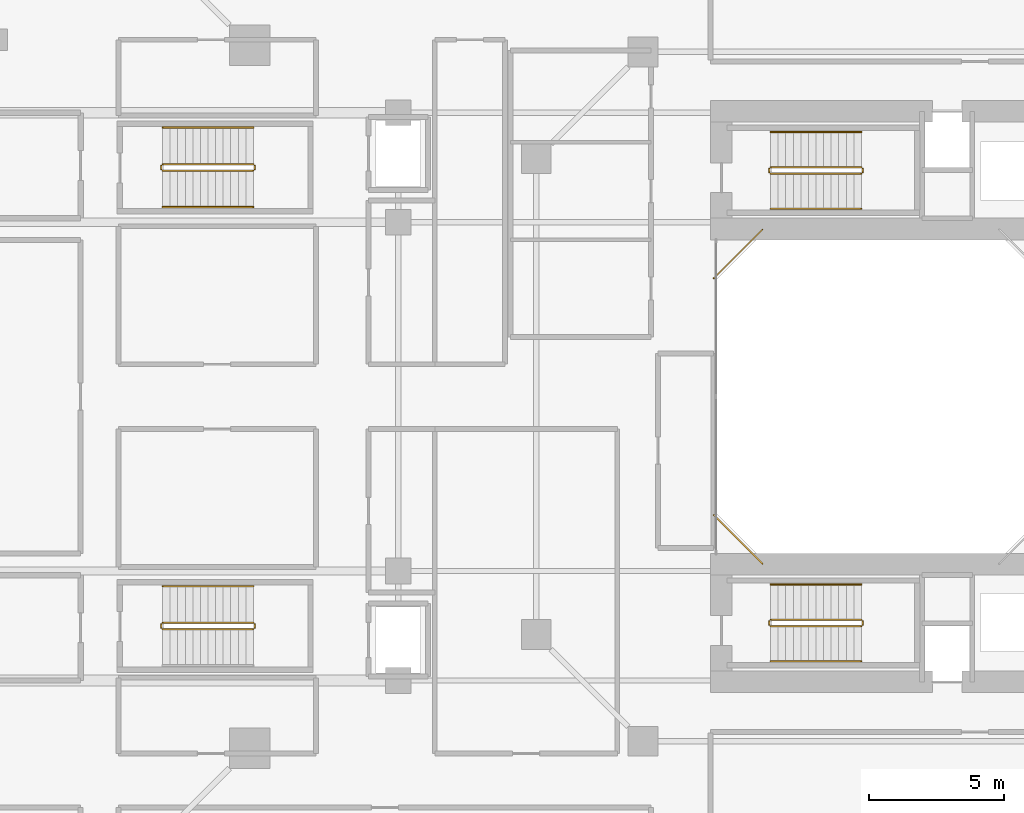
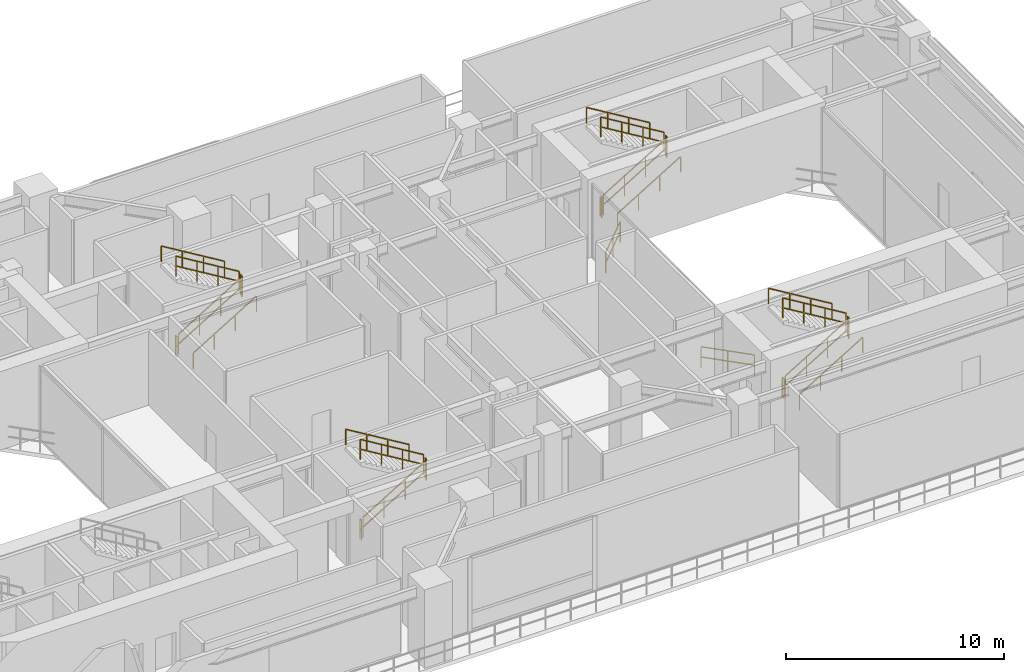
# One storey, part 19 of 20: 25 railings.
"""IFC4 building model written with IfcOpenShell, lengths in metres."""

from ifc_helpers import new_model, si_unit, direction, frame, origin, origin_2d, place, context, subcontext, project, spatial, rectangle, extrude, material, type_object, element, save


model = new_model("IFC4")

# Units and contexts
model_context = context("Model", 3, precision=1e-05, world=origin(), true_north=direction((0.0, 1.0)))
body_context = subcontext(model_context, "Body", "Model", "MODEL_VIEW")
ifc_project = project(units=[si_unit("LENGTHUNIT", "METRE"), si_unit("AREAUNIT", "SQUARE_METRE"), si_unit("VOLUMEUNIT", "CUBIC_METRE"), si_unit("PLANEANGLEUNIT", "RADIAN"), si_unit("MASSUNIT", "GRAM", prefix="KILO"), si_unit("THERMODYNAMICTEMPERATUREUNIT", "KELVIN"), si_unit("POWERUNIT", "WATT")], contexts=[model_context])

# Site, building, storey
site_placement = place(None, origin())
site = spatial("IfcSite", under=ifc_project, at=site_placement, CompositionType="ELEMENT")
building_placement = place(site_placement, origin())
building = spatial("IfcBuilding", under=site, at=building_placement, Name="Qiaomeng Ring Towers", CompositionType="ELEMENT")
storey_placement = place(building_placement, frame((0.0, 0.0, 13.800048828125)))
storey = spatial("IfcBuildingStorey", under=building, at=storey_placement, Name="L03", CompositionType="ELEMENT", Elevation=13.800048828125)

# Railings
ifc_material_1 = material(Name="Low-E pale-green laminated safety glass", Category="glass")
railing_type_1 = type_object("IfcRailingType", Name="ARC-RL-BAL1", PredefinedType="BALUSTRADE", material=ifc_material_1)
railing_1_placement = place(storey_placement, frame((56.1201171875, 29.179931640625, 0.0)))
element("IfcRailing", 1, at=railing_1_placement, inside=storey, type_object=railing_type_1, Name="L03 Balustrade ARC-BAL-WELL2-L03-3", PredefinedType="BALUSTRADE", context=body_context, shape_type="SweptSolid", body=[
    extrude(rectangle(XDim=0.048095703125, YDim=0.048095703125, at=origin_2d()), frame((0.0, 0.0, 1.17578125), z_axis=(-0.707106781187, -0.707106781187, 0.0), x_axis=(0.707106781187, -0.707106781187, 0.0)), (0.0, 0.0, 1.0), 2.545654296875),
    extrude(rectangle(XDim=0.048095703125, YDim=0.048095703125, at=origin_2d()), frame((0.0, 0.0, 0.60009765625), z_axis=(-0.707106781187, -0.707106781187, 0.0), x_axis=(0.707106781187, -0.707106781187, 0.0)), (0.0, 0.0, 1.0), 2.545654296875),
    extrude(rectangle(XDim=0.0419921875, YDim=0.0419921875, at=origin_2d()), origin(), (0.0, 0.0, 1.0), 1.15185546875),
    extrude(rectangle(XDim=0.0419921875, YDim=0.0419921875, at=origin_2d()), frame((-0.89990234375, -0.89990234375, 0.0)), (0.0, 0.0, 1.0), 1.15185546875),
    extrude(rectangle(XDim=0.0419921875, YDim=0.0419921875, at=origin_2d()), frame((-1.800048828125, -1.800048828125, 0.0)), (0.0, 0.0, 1.0), 1.15185546875),
])
railing_2_placement = place(storey_placement, frame((54.320068359375, 18.6201171875, 0.0)))
element("IfcRailing", 2, at=railing_2_placement, inside=storey, type_object=railing_type_1, Name="L03 Balustrade ARC-BAL-WELL2-L03-4", PredefinedType="BALUSTRADE", context=body_context, shape_type="SweptSolid", body=[
    extrude(rectangle(XDim=0.048095703125, YDim=0.048095703125, at=origin_2d()), frame((0.0, 0.0, 1.17578125), z_axis=(0.707106781187, -0.707106781187, 0.0), x_axis=(0.707106781187, 0.707106781187, 0.0)), (0.0, 0.0, 1.0), 2.545654296875),
    extrude(rectangle(XDim=0.048095703125, YDim=0.048095703125, at=origin_2d()), frame((0.0, 0.0, 0.60009765625), z_axis=(0.707106781187, -0.707106781187, 0.0), x_axis=(0.707106781187, 0.707106781187, 0.0)), (0.0, 0.0, 1.0), 2.545654296875),
    extrude(rectangle(XDim=0.0419921875, YDim=0.0419921875, at=origin_2d()), origin(), (0.0, 0.0, 1.0), 1.15185546875),
    extrude(rectangle(XDim=0.0419921875, YDim=0.0419921875, at=origin_2d()), frame((0.89990234375, -0.89990234375, 0.0)), (0.0, 0.0, 1.0), 1.15185546875),
    extrude(rectangle(XDim=0.0419921875, YDim=0.0419921875, at=origin_2d()), frame((1.800048828125, -1.800048828125, 0.0)), (0.0, 0.0, 1.0), 1.15185546875),
])
ifc_material_2 = material(Name="Galvanised steel", Category="steel")
railing_type_2 = type_object("IfcRailingType", Name="ARC-RL-GUARD", PredefinedType="GUARDRAIL", material=ifc_material_2)
railing_3_placement = place(storey_placement, frame((56.419921875, 31.25, 0.169189453125)))
element("IfcRailing", 3, at=railing_3_placement, inside=storey, type_object=railing_type_2, Name="L03 ST5 stair guard 1", PredefinedType="GUARDRAIL", context=body_context, shape_type="SweptSolid", body=[
    extrude(rectangle(XDim=0.048095703125, YDim=0.048095703125, at=origin_2d()), frame((0.0, 0.0, 1.1259765625), z_axis=(0.855836976705, 0.0, 0.517245656632), x_axis=(0.0, 1.0, 0.0)), (0.0, 0.0, 1.0), 3.926025390625),
    extrude(rectangle(XDim=0.048095703125, YDim=0.048095703125, at=origin_2d()), frame((0.0, 0.0, 0.574951171875), z_axis=(0.855836976705, 0.0, 0.517245656632), x_axis=(0.0, 1.0, 0.0)), (0.0, 0.0, 1.0), 3.926025390625),
    extrude(rectangle(XDim=0.0419921875, YDim=0.0419921875, at=origin_2d()), origin(), (0.0, 0.0, 1.0), 1.101806640625),
    extrude(rectangle(XDim=0.0419921875, YDim=0.0419921875, at=origin_2d()), frame((1.1201171875, 0.0, 0.677001953125)), (0.0, 0.0, 1.0), 1.101806640625),
    extrude(rectangle(XDim=0.0419921875, YDim=0.0419921875, at=origin_2d()), frame((2.239990234375, 0.0, 1.353759765625)), (0.0, 0.0, 1.0), 1.101806640625),
    extrude(rectangle(XDim=0.0419921875, YDim=0.0419921875, at=origin_2d()), frame((3.360107421875, 0.0, 2.03076171875)), (0.0, 0.0, 1.0), 1.101806640625),
])
railing_4_placement = place(storey_placement, frame((59.830078125, 31.300048828125, 2.199951171875)))
element("IfcRailing", 4, at=railing_4_placement, inside=storey, type_object=railing_type_2, Name="L03 ST5 stair guard 2", PredefinedType="GUARDRAIL", context=body_context, shape_type="SweptSolid", body=[
    extrude(rectangle(XDim=0.048095703125, YDim=0.048095703125, at=origin_2d()), frame((0.0, 0.0, 1.1259765625), z_axis=(0.0, 1.0, 0.0), x_axis=(-1.0, 0.0, 0.0)), (0.0, 0.0, 1.0), 0.139892578125),
    extrude(rectangle(XDim=0.048095703125, YDim=0.048095703125, at=origin_2d()), frame((0.0, 0.0, 0.574951171875), z_axis=(0.0, 1.0, 0.0), x_axis=(-1.0, 0.0, 0.0)), (0.0, 0.0, 1.0), 0.139892578125),
    extrude(rectangle(XDim=0.0419921875, YDim=0.0419921875, at=origin_2d()), origin(), (0.0, 0.0, 1.0), 1.101806640625),
    extrude(rectangle(XDim=0.0419921875, YDim=0.0419921875, at=origin_2d()), frame((0.0, 0.139892578125, 0.0)), (0.0, 0.0, 1.0), 1.101806640625),
])
railing_5_placement = place(storey_placement, frame((59.780029296875, 31.489990234375, 2.369140625)))
element("IfcRailing", 5, at=railing_5_placement, inside=storey, type_object=railing_type_2, Name="L03 ST5 stair guard 3", PredefinedType="GUARDRAIL", context=body_context, shape_type="SweptSolid", body=[
    extrude(rectangle(XDim=0.048095703125, YDim=0.048095703125, at=origin_2d()), frame((0.0, 0.0, 1.1259765625), z_axis=(-0.855836976705, 0.0, 0.517245656632), x_axis=(0.0, -1.0, 0.0)), (0.0, 0.0, 1.0), 3.926025390625),
    extrude(rectangle(XDim=0.048095703125, YDim=0.048095703125, at=origin_2d()), frame((0.0, 0.0, 0.574951171875), z_axis=(-0.855836976705, 0.0, 0.517245656632), x_axis=(0.0, -1.0, 0.0)), (0.0, 0.0, 1.0), 3.926025390625),
    extrude(rectangle(XDim=0.0419921875, YDim=0.0419921875, at=origin_2d()), origin(), (0.0, 0.0, 1.0), 1.101806640625),
    extrude(rectangle(XDim=0.0419921875, YDim=0.0419921875, at=origin_2d()), frame((-1.1201171875, 0.0, 0.677001953125)), (0.0, 0.0, 1.0), 1.101806640625),
    extrude(rectangle(XDim=0.0419921875, YDim=0.0419921875, at=origin_2d()), frame((-2.239990234375, 0.0, 1.353759765625)), (0.0, 0.0, 1.0), 1.101806640625),
    extrude(rectangle(XDim=0.0419921875, YDim=0.0419921875, at=origin_2d()), frame((-3.360107421875, 0.0, 2.03076171875)), (0.0, 0.0, 1.0), 1.101806640625),
])
railing_6_placement = place(storey_placement, frame((56.3701171875, 31.300048828125, 0.0)))
element("IfcRailing", 6, at=railing_6_placement, inside=storey, type_object=railing_type_2, Name="L03 ST5 stair guard 4", PredefinedType="GUARDRAIL", context=body_context, shape_type="SweptSolid", body=[
    extrude(rectangle(XDim=0.048095703125, YDim=0.048095703125, at=origin_2d()), frame((0.0, 0.0, 1.1259765625), z_axis=(0.0, 1.0, 0.0), x_axis=(-1.0, 0.0, 0.0)), (0.0, 0.0, 1.0), 0.139892578125),
    extrude(rectangle(XDim=0.048095703125, YDim=0.048095703125, at=origin_2d()), frame((0.0, 0.0, 0.574951171875), z_axis=(0.0, 1.0, 0.0), x_axis=(-1.0, 0.0, 0.0)), (0.0, 0.0, 1.0), 0.139892578125),
    extrude(rectangle(XDim=0.0419921875, YDim=0.0419921875, at=origin_2d()), origin(), (0.0, 0.0, 1.0), 1.101806640625),
    extrude(rectangle(XDim=0.0419921875, YDim=0.0419921875, at=origin_2d()), frame((0.0, 0.139892578125, 0.0)), (0.0, 0.0, 1.0), 1.101806640625),
])
railing_7_placement = place(storey_placement, frame((56.419921875, 14.510009765625, 0.169189453125)))
element("IfcRailing", 7, at=railing_7_placement, inside=storey, type_object=railing_type_2, Name="L03 ST6 stair guard 1", PredefinedType="GUARDRAIL", context=body_context, shape_type="SweptSolid", body=[
    extrude(rectangle(XDim=0.048095703125, YDim=0.048095703125, at=origin_2d()), frame((0.0, 0.0, 1.1259765625), z_axis=(0.855836976705, 0.0, 0.517245656632), x_axis=(0.0, 1.0, 0.0)), (0.0, 0.0, 1.0), 3.926025390625),
    extrude(rectangle(XDim=0.048095703125, YDim=0.048095703125, at=origin_2d()), frame((0.0, 0.0, 0.574951171875), z_axis=(0.855836976705, 0.0, 0.517245656632), x_axis=(0.0, 1.0, 0.0)), (0.0, 0.0, 1.0), 3.926025390625),
    extrude(rectangle(XDim=0.0419921875, YDim=0.0419921875, at=origin_2d()), origin(), (0.0, 0.0, 1.0), 1.101806640625),
    extrude(rectangle(XDim=0.0419921875, YDim=0.0419921875, at=origin_2d()), frame((1.1201171875, 0.0, 0.677001953125)), (0.0, 0.0, 1.0), 1.101806640625),
    extrude(rectangle(XDim=0.0419921875, YDim=0.0419921875, at=origin_2d()), frame((2.239990234375, 0.0, 1.353759765625)), (0.0, 0.0, 1.0), 1.101806640625),
    extrude(rectangle(XDim=0.0419921875, YDim=0.0419921875, at=origin_2d()), frame((3.360107421875, 0.0, 2.03076171875)), (0.0, 0.0, 1.0), 1.101806640625),
])
railing_8_placement = place(storey_placement, frame((59.830078125, 14.56005859375, 2.199951171875)))
element("IfcRailing", 8, at=railing_8_placement, inside=storey, type_object=railing_type_2, Name="L03 ST6 stair guard 2", PredefinedType="GUARDRAIL", context=body_context, shape_type="SweptSolid", body=[
    extrude(rectangle(XDim=0.048095703125, YDim=0.048095703125, at=origin_2d()), frame((0.0, 0.0, 1.1259765625), z_axis=(0.0, 1.0, 0.0), x_axis=(-1.0, 0.0, 0.0)), (0.0, 0.0, 1.0), 0.139892578125),
    extrude(rectangle(XDim=0.048095703125, YDim=0.048095703125, at=origin_2d()), frame((0.0, 0.0, 0.574951171875), z_axis=(0.0, 1.0, 0.0), x_axis=(-1.0, 0.0, 0.0)), (0.0, 0.0, 1.0), 0.139892578125),
    extrude(rectangle(XDim=0.0419921875, YDim=0.0419921875, at=origin_2d()), origin(), (0.0, 0.0, 1.0), 1.101806640625),
    extrude(rectangle(XDim=0.0419921875, YDim=0.0419921875, at=origin_2d()), frame((0.0, 0.139892578125, 0.0)), (0.0, 0.0, 1.0), 1.101806640625),
])
railing_9_placement = place(storey_placement, frame((59.780029296875, 14.75, 2.369140625)))
element("IfcRailing", 9, at=railing_9_placement, inside=storey, type_object=railing_type_2, Name="L03 ST6 stair guard 3", PredefinedType="GUARDRAIL", context=body_context, shape_type="SweptSolid", body=[
    extrude(rectangle(XDim=0.048095703125, YDim=0.048095703125, at=origin_2d()), frame((0.0, 0.0, 1.1259765625), z_axis=(-0.855836976705, 0.0, 0.517245656632), x_axis=(0.0, -1.0, 0.0)), (0.0, 0.0, 1.0), 3.926025390625),
    extrude(rectangle(XDim=0.048095703125, YDim=0.048095703125, at=origin_2d()), frame((0.0, 0.0, 0.574951171875), z_axis=(-0.855836976705, 0.0, 0.517245656632), x_axis=(0.0, -1.0, 0.0)), (0.0, 0.0, 1.0), 3.926025390625),
    extrude(rectangle(XDim=0.0419921875, YDim=0.0419921875, at=origin_2d()), origin(), (0.0, 0.0, 1.0), 1.101806640625),
    extrude(rectangle(XDim=0.0419921875, YDim=0.0419921875, at=origin_2d()), frame((-1.1201171875, 0.0, 0.677001953125)), (0.0, 0.0, 1.0), 1.101806640625),
    extrude(rectangle(XDim=0.0419921875, YDim=0.0419921875, at=origin_2d()), frame((-2.239990234375, 0.0, 1.353759765625)), (0.0, 0.0, 1.0), 1.101806640625),
    extrude(rectangle(XDim=0.0419921875, YDim=0.0419921875, at=origin_2d()), frame((-3.360107421875, 0.0, 2.03076171875)), (0.0, 0.0, 1.0), 1.101806640625),
])
railing_10_placement = place(storey_placement, frame((56.3701171875, 14.56005859375, 0.0)))
element("IfcRailing", 10, at=railing_10_placement, inside=storey, type_object=railing_type_2, Name="L03 ST6 stair guard 4", PredefinedType="GUARDRAIL", context=body_context, shape_type="SweptSolid", body=[
    extrude(rectangle(XDim=0.048095703125, YDim=0.048095703125, at=origin_2d()), frame((0.0, 0.0, 1.1259765625), z_axis=(0.0, 1.0, 0.0), x_axis=(-1.0, 0.0, 0.0)), (0.0, 0.0, 1.0), 0.139892578125),
    extrude(rectangle(XDim=0.048095703125, YDim=0.048095703125, at=origin_2d()), frame((0.0, 0.0, 0.574951171875), z_axis=(0.0, 1.0, 0.0), x_axis=(-1.0, 0.0, 0.0)), (0.0, 0.0, 1.0), 0.139892578125),
    extrude(rectangle(XDim=0.0419921875, YDim=0.0419921875, at=origin_2d()), origin(), (0.0, 0.0, 1.0), 1.101806640625),
    extrude(rectangle(XDim=0.0419921875, YDim=0.0419921875, at=origin_2d()), frame((0.0, 0.139892578125, 0.0)), (0.0, 0.0, 1.0), 1.101806640625),
])
railing_11_placement = place(storey_placement, frame((33.929931640625, 31.360107421875, 0.169189453125)))
element("IfcRailing", 11, at=railing_11_placement, inside=storey, type_object=railing_type_2, Name="L03 ST7 stair guard 1", PredefinedType="GUARDRAIL", context=body_context, shape_type="SweptSolid", body=[
    extrude(rectangle(XDim=0.048095703125, YDim=0.048095703125, at=origin_2d()), frame((0.0, 0.0, 1.1259765625), z_axis=(0.855836976705, 0.0, 0.517245656632), x_axis=(0.0, 1.0, 0.0)), (0.0, 0.0, 1.0), 3.926025390625),
    extrude(rectangle(XDim=0.048095703125, YDim=0.048095703125, at=origin_2d()), frame((0.0, 0.0, 0.574951171875), z_axis=(0.855836976705, 0.0, 0.517245656632), x_axis=(0.0, 1.0, 0.0)), (0.0, 0.0, 1.0), 3.926025390625),
    extrude(rectangle(XDim=0.0419921875, YDim=0.0419921875, at=origin_2d()), origin(), (0.0, 0.0, 1.0), 1.101806640625),
    extrude(rectangle(XDim=0.0419921875, YDim=0.0419921875, at=origin_2d()), frame((1.1201171875, 0.0, 0.677001953125)), (0.0, 0.0, 1.0), 1.101806640625),
    extrude(rectangle(XDim=0.0419921875, YDim=0.0419921875, at=origin_2d()), frame((2.239990234375, 0.0, 1.353759765625)), (0.0, 0.0, 1.0), 1.101806640625),
    extrude(rectangle(XDim=0.0419921875, YDim=0.0419921875, at=origin_2d()), frame((3.360107421875, 0.0, 2.03076171875)), (0.0, 0.0, 1.0), 1.101806640625),
])
railing_12_placement = place(storey_placement, frame((37.340087890625, 31.409912109375, 2.199951171875)))
element("IfcRailing", 12, at=railing_12_placement, inside=storey, type_object=railing_type_2, Name="L03 ST7 stair guard 2", PredefinedType="GUARDRAIL", context=body_context, shape_type="SweptSolid", body=[
    extrude(rectangle(XDim=0.048095703125, YDim=0.048095703125, at=origin_2d()), frame((0.0, 0.0, 1.1259765625), z_axis=(0.0, 1.0, 0.0), x_axis=(-1.0, 0.0, 0.0)), (0.0, 0.0, 1.0), 0.14013671875),
    extrude(rectangle(XDim=0.048095703125, YDim=0.048095703125, at=origin_2d()), frame((0.0, 0.0, 0.574951171875), z_axis=(0.0, 1.0, 0.0), x_axis=(-1.0, 0.0, 0.0)), (0.0, 0.0, 1.0), 0.14013671875),
    extrude(rectangle(XDim=0.0419921875, YDim=0.0419921875, at=origin_2d()), origin(), (0.0, 0.0, 1.0), 1.101806640625),
    extrude(rectangle(XDim=0.0419921875, YDim=0.0419921875, at=origin_2d()), frame((0.0, 0.14013671875, 0.0)), (0.0, 0.0, 1.0), 1.101806640625),
])
railing_13_placement = place(storey_placement, frame((37.2900390625, 31.60009765625, 2.369140625)))
element("IfcRailing", 13, at=railing_13_placement, inside=storey, type_object=railing_type_2, Name="L03 ST7 stair guard 3", PredefinedType="GUARDRAIL", context=body_context, shape_type="SweptSolid", body=[
    extrude(rectangle(XDim=0.048095703125, YDim=0.048095703125, at=origin_2d()), frame((0.0, 0.0, 1.1259765625), z_axis=(-0.855836976705, 0.0, 0.517245656632), x_axis=(0.0, -1.0, 0.0)), (0.0, 0.0, 1.0), 3.926025390625),
    extrude(rectangle(XDim=0.048095703125, YDim=0.048095703125, at=origin_2d()), frame((0.0, 0.0, 0.574951171875), z_axis=(-0.855836976705, 0.0, 0.517245656632), x_axis=(0.0, -1.0, 0.0)), (0.0, 0.0, 1.0), 3.926025390625),
    extrude(rectangle(XDim=0.0419921875, YDim=0.0419921875, at=origin_2d()), origin(), (0.0, 0.0, 1.0), 1.101806640625),
    extrude(rectangle(XDim=0.0419921875, YDim=0.0419921875, at=origin_2d()), frame((-1.1201171875, 0.0, 0.677001953125)), (0.0, 0.0, 1.0), 1.101806640625),
    extrude(rectangle(XDim=0.0419921875, YDim=0.0419921875, at=origin_2d()), frame((-2.239990234375, 0.0, 1.353759765625)), (0.0, 0.0, 1.0), 1.101806640625),
    extrude(rectangle(XDim=0.0419921875, YDim=0.0419921875, at=origin_2d()), frame((-3.360107421875, 0.0, 2.03076171875)), (0.0, 0.0, 1.0), 1.101806640625),
])
railing_14_placement = place(storey_placement, frame((33.8798828125, 31.409912109375, 0.0)))
element("IfcRailing", 14, at=railing_14_placement, inside=storey, type_object=railing_type_2, Name="L03 ST7 stair guard 4", PredefinedType="GUARDRAIL", context=body_context, shape_type="SweptSolid", body=[
    extrude(rectangle(XDim=0.048095703125, YDim=0.048095703125, at=origin_2d()), frame((0.0, 0.0, 1.1259765625), z_axis=(0.0, 1.0, 0.0), x_axis=(-1.0, 0.0, 0.0)), (0.0, 0.0, 1.0), 0.14013671875),
    extrude(rectangle(XDim=0.048095703125, YDim=0.048095703125, at=origin_2d()), frame((0.0, 0.0, 0.574951171875), z_axis=(0.0, 1.0, 0.0), x_axis=(-1.0, 0.0, 0.0)), (0.0, 0.0, 1.0), 0.14013671875),
    extrude(rectangle(XDim=0.0419921875, YDim=0.0419921875, at=origin_2d()), origin(), (0.0, 0.0, 1.0), 1.101806640625),
    extrude(rectangle(XDim=0.0419921875, YDim=0.0419921875, at=origin_2d()), frame((0.0, 0.14013671875, 0.0)), (0.0, 0.0, 1.0), 1.101806640625),
])
railing_15_placement = place(storey_placement, frame((33.929931640625, 14.39990234375, 0.169189453125)))
element("IfcRailing", 15, at=railing_15_placement, inside=storey, type_object=railing_type_2, Name="L03 ST8 stair guard 1", PredefinedType="GUARDRAIL", context=body_context, shape_type="SweptSolid", body=[
    extrude(rectangle(XDim=0.048095703125, YDim=0.048095703125, at=origin_2d()), frame((0.0, 0.0, 1.1259765625), z_axis=(0.855836976705, 0.0, 0.517245656632), x_axis=(0.0, 1.0, 0.0)), (0.0, 0.0, 1.0), 3.926025390625),
    extrude(rectangle(XDim=0.048095703125, YDim=0.048095703125, at=origin_2d()), frame((0.0, 0.0, 0.574951171875), z_axis=(0.855836976705, 0.0, 0.517245656632), x_axis=(0.0, 1.0, 0.0)), (0.0, 0.0, 1.0), 3.926025390625),
    extrude(rectangle(XDim=0.0419921875, YDim=0.0419921875, at=origin_2d()), origin(), (0.0, 0.0, 1.0), 1.101806640625),
    extrude(rectangle(XDim=0.0419921875, YDim=0.0419921875, at=origin_2d()), frame((1.1201171875, 0.0, 0.677001953125)), (0.0, 0.0, 1.0), 1.101806640625),
    extrude(rectangle(XDim=0.0419921875, YDim=0.0419921875, at=origin_2d()), frame((2.239990234375, 0.0, 1.353759765625)), (0.0, 0.0, 1.0), 1.101806640625),
    extrude(rectangle(XDim=0.0419921875, YDim=0.0419921875, at=origin_2d()), frame((3.360107421875, 0.0, 2.03076171875)), (0.0, 0.0, 1.0), 1.101806640625),
])
railing_16_placement = place(storey_placement, frame((37.340087890625, 14.449951171875, 2.199951171875)))
element("IfcRailing", 16, at=railing_16_placement, inside=storey, type_object=railing_type_2, Name="L03 ST8 stair guard 2", PredefinedType="GUARDRAIL", context=body_context, shape_type="SweptSolid", body=[
    extrude(rectangle(XDim=0.048095703125, YDim=0.048095703125, at=origin_2d()), frame((0.0, 0.0, 1.1259765625), z_axis=(0.0, 1.0, 0.0), x_axis=(-1.0, 0.0, 0.0)), (0.0, 0.0, 1.0), 0.14013671875),
    extrude(rectangle(XDim=0.048095703125, YDim=0.048095703125, at=origin_2d()), frame((0.0, 0.0, 0.574951171875), z_axis=(0.0, 1.0, 0.0), x_axis=(-1.0, 0.0, 0.0)), (0.0, 0.0, 1.0), 0.14013671875),
    extrude(rectangle(XDim=0.0419921875, YDim=0.0419921875, at=origin_2d()), origin(), (0.0, 0.0, 1.0), 1.101806640625),
    extrude(rectangle(XDim=0.0419921875, YDim=0.0419921875, at=origin_2d()), frame((0.0, 0.14013671875, 0.0)), (0.0, 0.0, 1.0), 1.101806640625),
])
railing_17_placement = place(storey_placement, frame((37.2900390625, 14.639892578125, 2.369140625)))
element("IfcRailing", 17, at=railing_17_placement, inside=storey, type_object=railing_type_2, Name="L03 ST8 stair guard 3", PredefinedType="GUARDRAIL", context=body_context, shape_type="SweptSolid", body=[
    extrude(rectangle(XDim=0.048095703125, YDim=0.048095703125, at=origin_2d()), frame((0.0, 0.0, 1.1259765625), z_axis=(-0.855836976705, 0.0, 0.517245656632), x_axis=(0.0, -1.0, 0.0)), (0.0, 0.0, 1.0), 3.926025390625),
    extrude(rectangle(XDim=0.048095703125, YDim=0.048095703125, at=origin_2d()), frame((0.0, 0.0, 0.574951171875), z_axis=(-0.855836976705, 0.0, 0.517245656632), x_axis=(0.0, -1.0, 0.0)), (0.0, 0.0, 1.0), 3.926025390625),
    extrude(rectangle(XDim=0.0419921875, YDim=0.0419921875, at=origin_2d()), origin(), (0.0, 0.0, 1.0), 1.101806640625),
    extrude(rectangle(XDim=0.0419921875, YDim=0.0419921875, at=origin_2d()), frame((-1.1201171875, 0.0, 0.677001953125)), (0.0, 0.0, 1.0), 1.101806640625),
    extrude(rectangle(XDim=0.0419921875, YDim=0.0419921875, at=origin_2d()), frame((-2.239990234375, 0.0, 1.353759765625)), (0.0, 0.0, 1.0), 1.101806640625),
    extrude(rectangle(XDim=0.0419921875, YDim=0.0419921875, at=origin_2d()), frame((-3.360107421875, 0.0, 2.03076171875)), (0.0, 0.0, 1.0), 1.101806640625),
])
railing_18_placement = place(storey_placement, frame((33.8798828125, 14.449951171875, 0.0)))
element("IfcRailing", 18, at=railing_18_placement, inside=storey, type_object=railing_type_2, Name="L03 ST8 stair guard 4", PredefinedType="GUARDRAIL", context=body_context, shape_type="SweptSolid", body=[
    extrude(rectangle(XDim=0.048095703125, YDim=0.048095703125, at=origin_2d()), frame((0.0, 0.0, 1.1259765625), z_axis=(0.0, 1.0, 0.0), x_axis=(-1.0, 0.0, 0.0)), (0.0, 0.0, 1.0), 0.14013671875),
    extrude(rectangle(XDim=0.048095703125, YDim=0.048095703125, at=origin_2d()), frame((0.0, 0.0, 0.574951171875), z_axis=(0.0, 1.0, 0.0), x_axis=(-1.0, 0.0, 0.0)), (0.0, 0.0, 1.0), 0.14013671875),
    extrude(rectangle(XDim=0.0419921875, YDim=0.0419921875, at=origin_2d()), origin(), (0.0, 0.0, 1.0), 1.101806640625),
    extrude(rectangle(XDim=0.0419921875, YDim=0.0419921875, at=origin_2d()), frame((0.0, 0.14013671875, 0.0)), (0.0, 0.0, 1.0), 1.101806640625),
])
ifc_material_3 = material(Name="Stainless steel 316", Category="steel")
railing_type_3 = type_object("IfcRailingType", Name="ARC-RL-HAND", PredefinedType="HANDRAIL", material=ifc_material_3)
railing_19_placement = place(storey_placement, frame((56.419921875, 29.949951171875, 0.169189453125)))
element("IfcRailing", 19, at=railing_19_placement, inside=storey, type_object=railing_type_3, Name="L03 ST5 stair handrail 1", PredefinedType="HANDRAIL", context=body_context, shape_type="SweptSolid", body=[
    extrude(rectangle(XDim=0.048095703125, YDim=0.048095703125, at=origin_2d()), frame((0.0, 0.0, 0.8759765625), z_axis=(0.855836976705, 0.0, 0.517245656632), x_axis=(0.0, 1.0, 0.0)), (0.0, 0.0, 1.0), 3.926025390625),
    extrude(rectangle(XDim=0.0419921875, YDim=0.0419921875, at=origin_2d()), origin(), (0.0, 0.0, 1.0), 0.851806640625),
    extrude(rectangle(XDim=0.0419921875, YDim=0.0419921875, at=origin_2d()), frame((1.1201171875, 0.0, 0.677001953125)), (0.0, 0.0, 1.0), 0.851806640625),
    extrude(rectangle(XDim=0.0419921875, YDim=0.0419921875, at=origin_2d()), frame((2.239990234375, 0.0, 1.353759765625)), (0.0, 0.0, 1.0), 0.851806640625),
    extrude(rectangle(XDim=0.0419921875, YDim=0.0419921875, at=origin_2d()), frame((3.360107421875, 0.0, 2.03076171875)), (0.0, 0.0, 1.0), 0.851806640625),
])
railing_20_placement = place(storey_placement, frame((59.780029296875, 32.7900390625, 2.369140625)))
element("IfcRailing", 20, at=railing_20_placement, inside=storey, type_object=railing_type_3, Name="L03 ST5 stair handrail 2", PredefinedType="HANDRAIL", context=body_context, shape_type="SweptSolid", body=[
    extrude(rectangle(XDim=0.048095703125, YDim=0.048095703125, at=origin_2d()), frame((0.0, 0.0, 0.8759765625), z_axis=(-0.855836976705, 0.0, 0.517245656632), x_axis=(0.0, -1.0, 0.0)), (0.0, 0.0, 1.0), 3.926025390625),
    extrude(rectangle(XDim=0.0419921875, YDim=0.0419921875, at=origin_2d()), origin(), (0.0, 0.0, 1.0), 0.851806640625),
    extrude(rectangle(XDim=0.0419921875, YDim=0.0419921875, at=origin_2d()), frame((-1.1201171875, 0.0, 0.677001953125)), (0.0, 0.0, 1.0), 0.851806640625),
    extrude(rectangle(XDim=0.0419921875, YDim=0.0419921875, at=origin_2d()), frame((-2.239990234375, 0.0, 1.353759765625)), (0.0, 0.0, 1.0), 0.851806640625),
    extrude(rectangle(XDim=0.0419921875, YDim=0.0419921875, at=origin_2d()), frame((-3.360107421875, 0.0, 2.03076171875)), (0.0, 0.0, 1.0), 0.851806640625),
])
railing_21_placement = place(storey_placement, frame((56.419921875, 13.2099609375, 0.169189453125)))
element("IfcRailing", 21, at=railing_21_placement, inside=storey, type_object=railing_type_3, Name="L03 ST6 stair handrail 1", PredefinedType="HANDRAIL", context=body_context, shape_type="SweptSolid", body=[
    extrude(rectangle(XDim=0.048095703125, YDim=0.048095703125, at=origin_2d()), frame((0.0, 0.0, 0.8759765625), z_axis=(0.855836976705, 0.0, 0.517245656632), x_axis=(0.0, 1.0, 0.0)), (0.0, 0.0, 1.0), 3.926025390625),
    extrude(rectangle(XDim=0.0419921875, YDim=0.0419921875, at=origin_2d()), origin(), (0.0, 0.0, 1.0), 0.851806640625),
    extrude(rectangle(XDim=0.0419921875, YDim=0.0419921875, at=origin_2d()), frame((1.1201171875, 0.0, 0.677001953125)), (0.0, 0.0, 1.0), 0.851806640625),
    extrude(rectangle(XDim=0.0419921875, YDim=0.0419921875, at=origin_2d()), frame((2.239990234375, 0.0, 1.353759765625)), (0.0, 0.0, 1.0), 0.851806640625),
    extrude(rectangle(XDim=0.0419921875, YDim=0.0419921875, at=origin_2d()), frame((3.360107421875, 0.0, 2.03076171875)), (0.0, 0.0, 1.0), 0.851806640625),
])
railing_22_placement = place(storey_placement, frame((59.780029296875, 16.050048828125, 2.369140625)))
element("IfcRailing", 22, at=railing_22_placement, inside=storey, type_object=railing_type_3, Name="L03 ST6 stair handrail 2", PredefinedType="HANDRAIL", context=body_context, shape_type="SweptSolid", body=[
    extrude(rectangle(XDim=0.048095703125, YDim=0.048095703125, at=origin_2d()), frame((0.0, 0.0, 0.8759765625), z_axis=(-0.855836976705, 0.0, 0.517245656632), x_axis=(0.0, -1.0, 0.0)), (0.0, 0.0, 1.0), 3.926025390625),
    extrude(rectangle(XDim=0.0419921875, YDim=0.0419921875, at=origin_2d()), origin(), (0.0, 0.0, 1.0), 0.851806640625),
    extrude(rectangle(XDim=0.0419921875, YDim=0.0419921875, at=origin_2d()), frame((-1.1201171875, 0.0, 0.677001953125)), (0.0, 0.0, 1.0), 0.851806640625),
    extrude(rectangle(XDim=0.0419921875, YDim=0.0419921875, at=origin_2d()), frame((-2.239990234375, 0.0, 1.353759765625)), (0.0, 0.0, 1.0), 0.851806640625),
    extrude(rectangle(XDim=0.0419921875, YDim=0.0419921875, at=origin_2d()), frame((-3.360107421875, 0.0, 2.03076171875)), (0.0, 0.0, 1.0), 0.851806640625),
])
railing_23_placement = place(storey_placement, frame((33.929931640625, 30.010009765625, 0.169189453125)))
element("IfcRailing", 23, at=railing_23_placement, inside=storey, type_object=railing_type_3, Name="L03 ST7 stair handrail 1", PredefinedType="HANDRAIL", context=body_context, shape_type="SweptSolid", body=[
    extrude(rectangle(XDim=0.048095703125, YDim=0.048095703125, at=origin_2d()), frame((0.0, 0.0, 0.8759765625), z_axis=(0.855836976705, 0.0, 0.517245656632), x_axis=(0.0, 1.0, 0.0)), (0.0, 0.0, 1.0), 3.926025390625),
    extrude(rectangle(XDim=0.0419921875, YDim=0.0419921875, at=origin_2d()), origin(), (0.0, 0.0, 1.0), 0.851806640625),
    extrude(rectangle(XDim=0.0419921875, YDim=0.0419921875, at=origin_2d()), frame((1.1201171875, 0.0, 0.677001953125)), (0.0, 0.0, 1.0), 0.851806640625),
    extrude(rectangle(XDim=0.0419921875, YDim=0.0419921875, at=origin_2d()), frame((2.239990234375, 0.0, 1.353759765625)), (0.0, 0.0, 1.0), 0.851806640625),
    extrude(rectangle(XDim=0.0419921875, YDim=0.0419921875, at=origin_2d()), frame((3.360107421875, 0.0, 2.03076171875)), (0.0, 0.0, 1.0), 0.851806640625),
])
for number, where, name in (
    (24, (37.2900390625, 32.949951171875, 2.369140625), "L03 ST7 stair handrail 2"),
    (25, (37.2900390625, 15.989990234375, 2.369140625), "L03 ST8 stair handrail 2"),
):
    element("IfcRailing", number, at=place(storey_placement, frame(where)), inside=storey, type_object=railing_type_3, Name=name, PredefinedType="HANDRAIL", context=body_context, shape_type="SweptSolid", body=[
        extrude(rectangle(XDim=0.048095703125, YDim=0.048095703125, at=origin_2d()), frame((0.0, 0.0, 0.8759765625), z_axis=(-0.855836976705, 0.0, 0.517245656632), x_axis=(0.0, -1.0, 0.0)), (0.0, 0.0, 1.0), 3.926025390625),
        extrude(rectangle(XDim=0.0419921875, YDim=0.0419921875, at=origin_2d()), origin(), (0.0, 0.0, 1.0), 0.851806640625),
        extrude(rectangle(XDim=0.0419921875, YDim=0.0419921875, at=origin_2d()), frame((-1.1201171875, 0.0, 0.677001953125)), (0.0, 0.0, 1.0), 0.851806640625),
        extrude(rectangle(XDim=0.0419921875, YDim=0.0419921875, at=origin_2d()), frame((-2.239990234375, 0.0, 1.353759765625)), (0.0, 0.0, 1.0), 0.851806640625),
        extrude(rectangle(XDim=0.0419921875, YDim=0.0419921875, at=origin_2d()), frame((-3.360107421875, 0.0, 2.03076171875)), (0.0, 0.0, 1.0), 0.851806640625),
    ])

save(model, "model.ifc")
